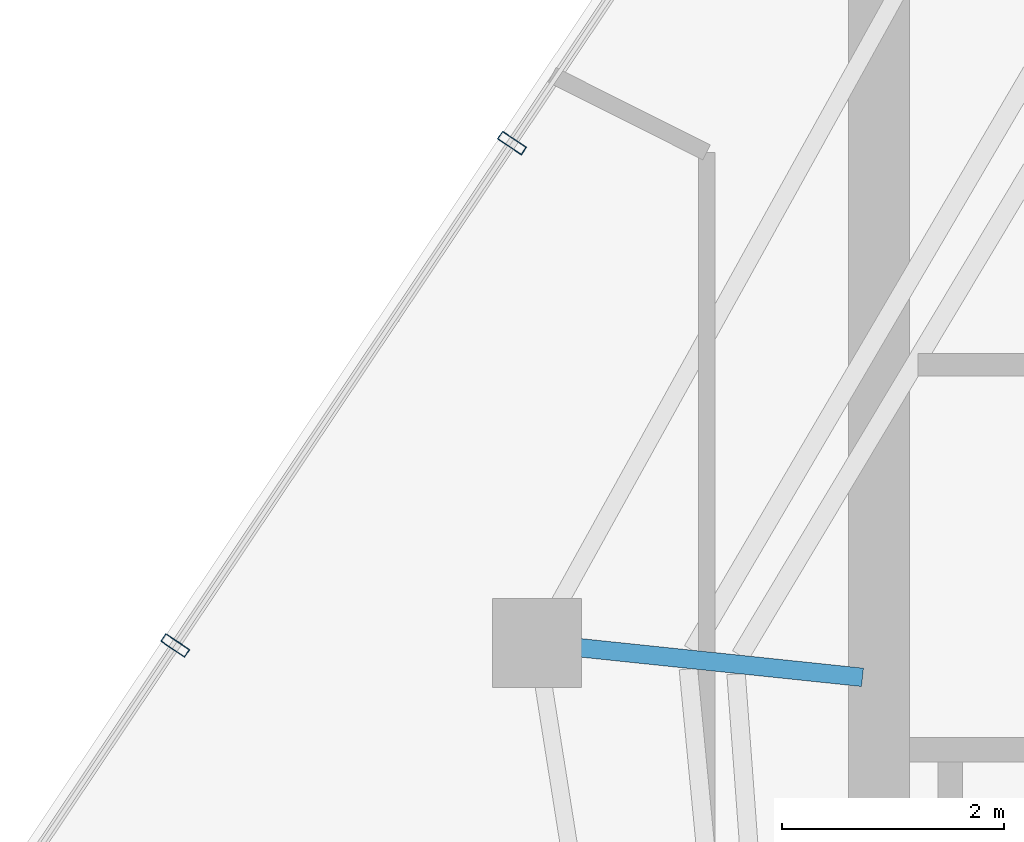
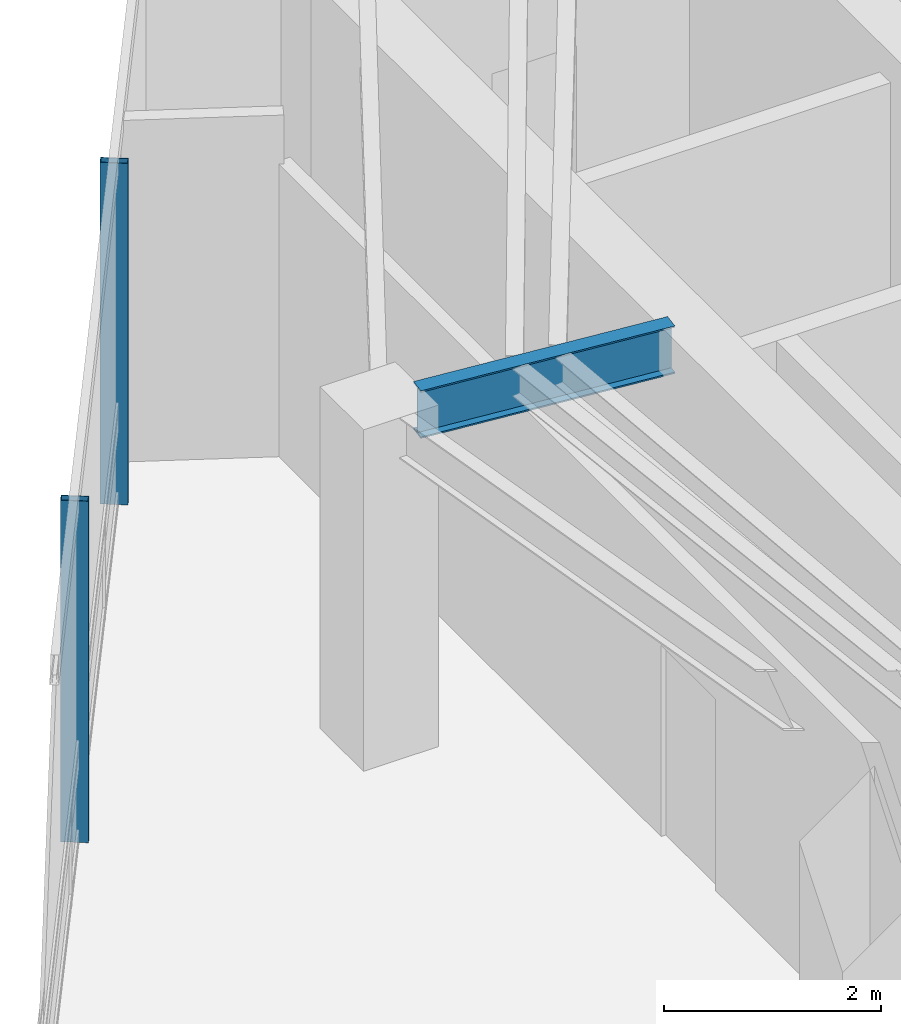
# One storey, part 6 of 18: 2 members, 1 beam, 1 element without a shape of its own.
"""IFC4 building model written with IfcOpenShell, lengths in metres."""

from ifc_helpers import new_model, si_unit, direction, frame, origin, origin_2d, place, context, subcontext, project, spatial, hollow_rectangle, i_section, extrude, material, layer, layer_set, material_profile, profile_set, type_object, element, aggregate, save


model = new_model("IFC4")

# Units and contexts
model_context = context("Model", 3, precision=1e-05, world=origin(), true_north=direction((0.0, 1.0)))
body_context = subcontext(model_context, "Body", "Model", "MODEL_VIEW")
ifc_project = project(units=[si_unit("LENGTHUNIT", "METRE"), si_unit("AREAUNIT", "SQUARE_METRE"), si_unit("VOLUMEUNIT", "CUBIC_METRE"), si_unit("PLANEANGLEUNIT", "RADIAN"), si_unit("MASSUNIT", "GRAM", prefix="KILO")], contexts=[model_context])

# Site, building, storey
site_placement = place(None, origin())
site = spatial("IfcSite", under=ifc_project, at=site_placement, CompositionType="ELEMENT")
building_placement = place(site_placement, origin())
building = spatial("IfcBuilding", under=site, at=building_placement, Name="Qarnah Convention Tower", CompositionType="ELEMENT")
storey_placement = place(building_placement, frame((0.0, 0.0, 279.300048828125)))
storey = spatial("IfcBuildingStorey", under=building, at=storey_placement, Name="L75", CompositionType="ELEMENT", Elevation=279.300048828125)

# Beam
ifc_material_1 = material(Name="Structural steel S355JR", Category="steel")
ifc_material_profile_1 = material_profile(ifc_material_1, i_section(OverallWidth=0.166015625, OverallDepth=0.535888671875, WebThickness=0.010009765625, FlangeThickness=0.01708984375, at=origin_2d()), Name="W530X85")
ifc_profile_set_1 = profile_set([ifc_material_profile_1], Name="Structural steel S355JR")
beam_type = type_object("IfcBeamType", Name="BM-RAD-W530B", PredefinedType="BEAM", material=ifc_profile_set_1)
beam_placement = place(storey_placement, frame((26.65087890625, 27.509033203125, 3.572021484375), z_axis=(-0.994564280912, 0.104124402207, 0.0), x_axis=(-0.104124402207, -0.994564280912, 0.0)))
element("IfcBeam", 1, at=beam_placement, inside=storey, type_object=beam_type, Name="L75 beam BM-L75-RAD-05", PredefinedType="BEAM", context=body_context, shape_type="SweptSolid", body=[
    extrude(i_section(OverallWidth=0.166015625, OverallDepth=0.535888671875, WebThickness=0.010009765625, FlangeThickness=0.01708984375, at=origin_2d()), origin(), (0.0, 0.0, 1.0), 2.562744140625),
])

# Curtain wall, members
ifc_material_2 = material(Name="Tempered Low-E dark glass", Category="glass")
ifc_layer = layer(ifc_material_2, 0.177978515625)
ifc_layer_set = layer_set([ifc_layer], Name="Tempered Low-E dark glass")
curtain_wall_type = type_object("IfcCurtainWallType", Name="CWS-06", PredefinedType="NOTDEFINED", material=ifc_layer_set)
curtain_wall_placement = place(storey_placement, origin())
curtain_wall = element("IfcCurtainWall", 2, at=curtain_wall_placement, inside=storey, type_object=curtain_wall_type, Name="L75 unitised curtain wall CW-L75-F2", PredefinedType="NOTDEFINED")
ifc_material_3 = material(Name="Black anodised aluminium", Category="aluminium")
ifc_material_profile_2 = material_profile(ifc_material_3, hollow_rectangle(XDim=0.0849609375, YDim=0.260009765625, WallThickness=0.006103515625, at=origin_2d()), Name="MUL-85X260")
ifc_profile_set_2 = profile_set([ifc_material_profile_2], Name="Black anodised aluminium")
member_type = type_object("IfcMemberType", Name="MUL-T6", PredefinedType="MULLION", material=ifc_profile_set_2)
member_1_placement = place(storey_placement, frame((20.47265625, 27.7958984375, 0.0), z_axis=(0.0, 0.0, 1.0), x_axis=(0.55685450921, 0.830610050247, 0.0)))
member_1 = element("IfcMember", 3, at=member_1_placement, type_object=member_type, Name="CW-L75-F2 mullion 2", PredefinedType="MULLION", context=body_context, shape_type="SweptSolid", body=[
    extrude(hollow_rectangle(XDim=0.0849609375, YDim=0.260009765625, WallThickness=0.006103515625, at=origin_2d()), origin(), (0.0, 0.0, 1.0), 3.83984375),
])
member_2_placement = place(storey_placement, frame((23.500244140625, 32.31201171875, 0.0), z_axis=(0.0, 0.0, 1.0), x_axis=(0.55685450921, 0.830610050247, 0.0)))
member_2 = element("IfcMember", 4, at=member_2_placement, type_object=member_type, Name="CW-L75-F2 mullion 3", PredefinedType="MULLION", context=body_context, shape_type="SweptSolid", body=[
    extrude(hollow_rectangle(XDim=0.0849609375, YDim=0.260009765625, WallThickness=0.006103515625, at=origin_2d()), origin(), (0.0, 0.0, 1.0), 3.83984375),
])
aggregate(curtain_wall, [member_1, member_2])

save(model, "model.ifc")
